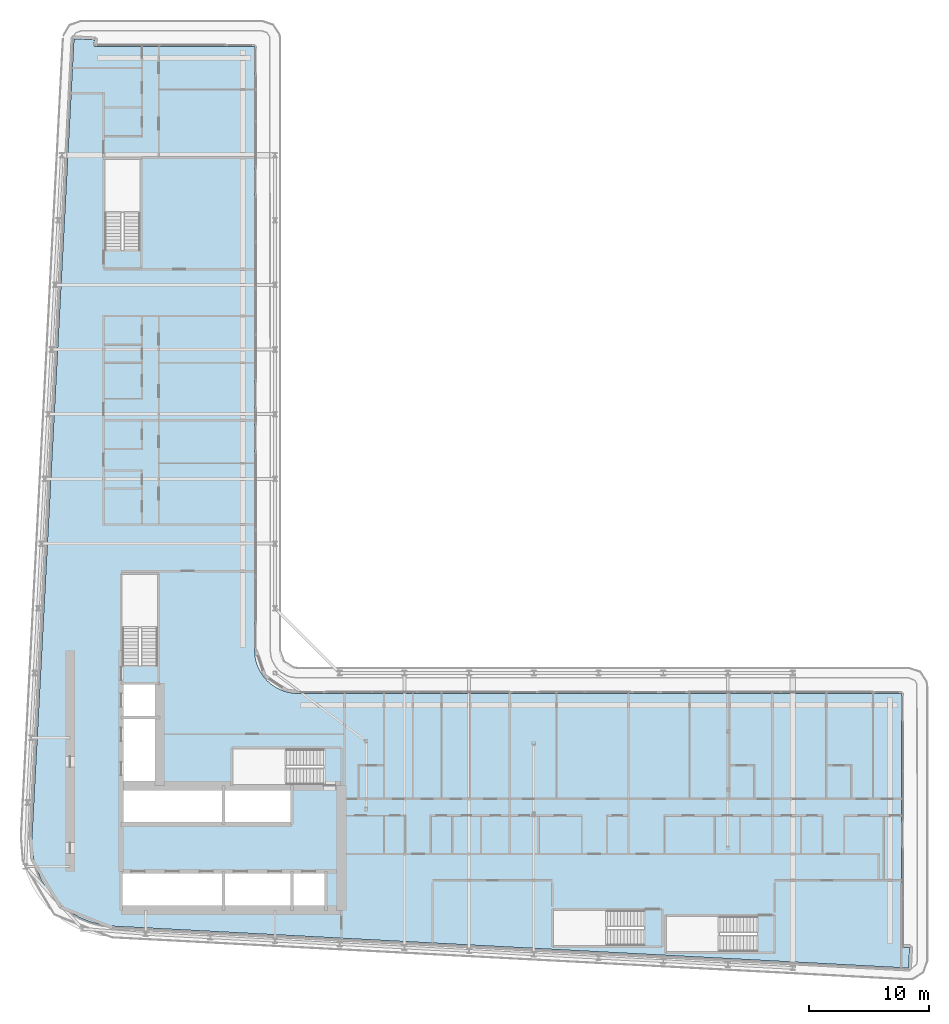
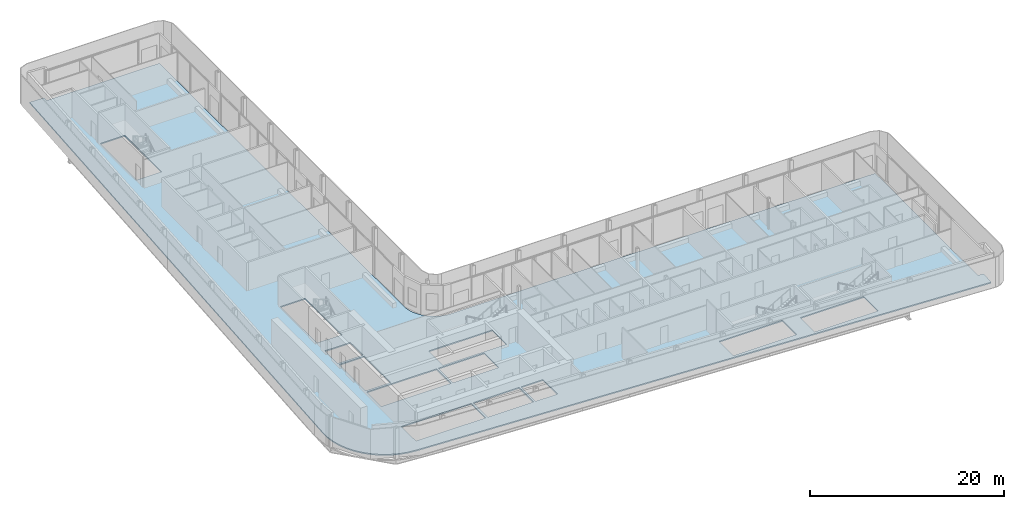
# One storey, part 13 of 30: 1 slab.
"""IFC4 building model written with IfcOpenShell, lengths in metres."""

from ifc_helpers import new_model, si_unit, direction, frame, origin, place, context, subcontext, project, spatial, polyline, outline, extrude, material, layer, layer_set, type_object, element, save


model = new_model("IFC4")

# Units and contexts
model_context = context("Model", 3, precision=1e-05, world=origin(), true_north=direction((0.0, 1.0)))
body_context = subcontext(model_context, "Body", "Model", "MODEL_VIEW")
ifc_project = project(units=[si_unit("LENGTHUNIT", "METRE"), si_unit("AREAUNIT", "SQUARE_METRE"), si_unit("VOLUMEUNIT", "CUBIC_METRE"), si_unit("PLANEANGLEUNIT", "RADIAN"), si_unit("MASSUNIT", "GRAM", prefix="KILO")], contexts=[model_context])

# Site, building, storey
site_placement = place(None, origin())
site = spatial("IfcSite", under=ifc_project, at=site_placement, CompositionType="ELEMENT")
building_placement = place(site_placement, origin())
building = spatial("IfcBuilding", under=site, at=building_placement, Name="Kheshtan School and Residences Tower", CompositionType="ELEMENT")
storey_placement = place(building_placement, frame((0.0, 0.0, 195.5)))
storey = spatial("IfcBuildingStorey", under=building, at=storey_placement, Name="L46", CompositionType="ELEMENT", Elevation=195.5)

# Slab
ifc_material = material(Name="Concrete C40/50", Category="concrete")
ifc_layer = layer(ifc_material, 0.14990234375)
ifc_layer_set = layer_set([ifc_layer], Name="Floor slab 150 Concrete C40/50")
slab_type = type_object("IfcSlabType", Name="Floor slab 150 Concrete C40/50", PredefinedType="FLOOR", material=ifc_layer_set)
slab_placement = place(storey_placement, frame((0.0, 0.0, -0.14990234375)))
element("IfcSlab", 1, at=slab_placement, inside=storey, type_object=slab_type, Name="Floor slab L46", PredefinedType="FLOOR", context=body_context, shape_type="SweptSolid", body=[
    extrude(outline(polyline([(27.718017578125, 29.200927734375), (27.466064453125, 30.093017578125), (27.466064453125, 30.093994140625), (27.3330078125, 31.013916015625), (27.320068359375, 31.965087890625), (27.320068359375, 31.970947265625), (30.822021484375, 98.5009765625), (30.822998046875, 98.508056640625), (30.825927734375, 98.531005859375), (30.825927734375, 98.531982421875), (30.826904296875, 98.531982421875), (31.422119140625, 98.5), (31.423095703125, 98.5), (31.423095703125, 98.4990234375), (31.423095703125, 98.4951171875), (31.423095703125, 98.493896484375), (31.424072265625, 98.493896484375), (31.424072265625, 98.492919921875), (31.425048828125, 98.492919921875), (31.426025390625, 98.492919921875), (31.426025390625, 98.493896484375), (31.427978515625, 98.49609375), (31.428955078125, 98.4970703125), (31.429931640625, 98.498046875), (31.430908203125, 98.498046875), (31.430908203125, 98.4990234375), (31.431884765625, 98.4990234375), (31.431884765625, 98.5), (31.43505859375, 98.5009765625), (31.43603515625, 98.501953125), (31.43896484375, 98.501953125), (31.43994140625, 98.501953125), (31.43994140625, 98.5029296875), (31.44091796875, 98.5029296875), (31.446044921875, 98.5029296875), (32.5009765625, 98.447021484375), (32.50390625, 98.447021484375), (32.5048828125, 98.447021484375), (32.5048828125, 98.446044921875), (32.506103515625, 98.446044921875), (32.510009765625, 98.446044921875), (32.510009765625, 98.445068359375), (32.510986328125, 98.445068359375), (32.510986328125, 98.444091796875), (32.511962890625, 98.444091796875), (32.511962890625, 98.443115234375), (32.512939453125, 98.443115234375), (32.513916015625, 98.443115234375), (32.513916015625, 98.44189453125), (32.514892578125, 98.44189453125), (32.51611328125, 98.44189453125), (32.51904296875, 98.43896484375), (32.51904296875, 98.43798828125), (32.51904296875, 98.43701171875), (32.52001953125, 98.43701171875), (32.52001953125, 98.43603515625), (32.52099609375, 98.43603515625), (32.52099609375, 98.43408203125), (32.52099609375, 98.43310546875), (32.52197265625, 98.43310546875), (32.52197265625, 98.431884765625), (32.52294921875, 98.431884765625), (32.52294921875, 98.430908203125), (32.52294921875, 98.428955078125), (32.52294921875, 98.427978515625), (32.52392578125, 98.427978515625), (32.52392578125, 98.427001953125), (32.52392578125, 98.422119140625), (32.4970703125, 97.9208984375), (32.4970703125, 97.91796875), (32.4970703125, 97.9169921875), (32.49609375, 97.9169921875), (32.49609375, 97.916015625), (32.49609375, 97.912109375), (32.4951171875, 97.910888671875), (32.4951171875, 97.909912109375), (32.493896484375, 97.909912109375), (32.493896484375, 97.908935546875), (32.492919921875, 97.908935546875), (32.492919921875, 97.907958984375), (32.489013671875, 97.904052734375), (32.488037109375, 97.904052734375), (32.488037109375, 97.903076171875), (32.488037109375, 97.902099609375), (32.488037109375, 97.90087890625), (32.489013671875, 97.90087890625), (32.489013671875, 97.89990234375), (32.489990234375, 97.89990234375), (45.85498046875, 97.89990234375), (45.864990234375, 97.89794921875), (45.865966796875, 97.89794921875), (45.868896484375, 97.89599609375), (45.8740234375, 97.89404296875), (45.8779296875, 97.89208984375), (45.881103515625, 97.889892578125), (45.881103515625, 97.888916015625), (45.882080078125, 97.888916015625), (45.882080078125, 97.887939453125), (45.883056640625, 97.887939453125), (45.884033203125, 97.885009765625), (45.885009765625, 97.885009765625), (45.885009765625, 97.884033203125), (45.887939453125, 97.883056640625), (45.887939453125, 97.882080078125), (45.888916015625, 97.882080078125), (45.888916015625, 97.881103515625), (45.889892578125, 97.881103515625), (45.89208984375, 97.8779296875), (45.89404296875, 97.8740234375), (45.89599609375, 97.868896484375), (45.89794921875, 97.865966796875), (45.89794921875, 97.864990234375), (45.89990234375, 97.85498046875), (45.89990234375, 47.429931640625), (45.927001953125, 47.030029296875), (46.01806640625, 46.570068359375), (46.01806640625, 46.569091796875), (46.169921875, 46.1201171875), (46.37890625, 45.697021484375), (46.638916015625, 45.30810546875), (46.949951171875, 44.950927734375), (46.950927734375, 44.949951171875), (47.30810546875, 44.638916015625), (47.697021484375, 44.37890625), (48.1201171875, 44.169921875), (48.569091796875, 44.01806640625), (48.570068359375, 44.01806640625), (49.030029296875, 43.927001953125), (49.429931640625, 43.89990234375), (99.85498046875, 43.89990234375), (99.864990234375, 43.89794921875), (99.865966796875, 43.89794921875), (99.868896484375, 43.89599609375), (99.8740234375, 43.89404296875), (99.8779296875, 43.89208984375), (99.881103515625, 43.889892578125), (99.881103515625, 43.888916015625), (99.882080078125, 43.888916015625), (99.882080078125, 43.887939453125), (99.883056640625, 43.887939453125), (99.884033203125, 43.885009765625), (99.885009765625, 43.885009765625), (99.885009765625, 43.884033203125), (99.887939453125, 43.883056640625), (99.887939453125, 43.882080078125), (99.888916015625, 43.882080078125), (99.888916015625, 43.881103515625), (99.889892578125, 43.881103515625), (99.89208984375, 43.8779296875), (99.89404296875, 43.8740234375), (99.89599609375, 43.868896484375), (99.89794921875, 43.865966796875), (99.89794921875, 43.864990234375), (99.89990234375, 43.85498046875), (99.89990234375, 22.708984375), (99.89990234375, 22.7080078125), (99.90087890625, 22.7080078125), (99.90087890625, 22.70703125), (99.902099609375, 22.70703125), (99.903076171875, 22.70703125), (99.903076171875, 22.7080078125), (99.905029296875, 22.7099609375), (99.906982421875, 22.7119140625), (99.907958984375, 22.7119140625), (99.907958984375, 22.712890625), (99.908935546875, 22.712890625), (99.908935546875, 22.714111328125), (99.909912109375, 22.714111328125), (99.912109375, 22.715087890625), (99.9130859375, 22.716064453125), (99.916015625, 22.716064453125), (99.9169921875, 22.716064453125), (99.9169921875, 22.717041015625), (99.91796875, 22.717041015625), (99.923095703125, 22.717041015625), (100.5380859375, 22.68408203125), (100.541015625, 22.68408203125), (100.5419921875, 22.68408203125), (100.5419921875, 22.68310546875), (100.54296875, 22.68310546875), (100.547119140625, 22.68310546875), (100.547119140625, 22.681884765625), (100.548095703125, 22.681884765625), (100.548095703125, 22.680908203125), (100.549072265625, 22.680908203125), (100.549072265625, 22.679931640625), (100.550048828125, 22.679931640625), (100.551025390625, 22.679931640625), (100.551025390625, 22.678955078125), (100.552001953125, 22.678955078125), (100.552978515625, 22.678955078125), (100.552978515625, 22.677978515625), (100.554931640625, 22.676025390625), (100.555908203125, 22.676025390625), (100.555908203125, 22.675048828125), (100.555908203125, 22.674072265625), (100.556884765625, 22.674072265625), (100.556884765625, 22.673095703125), (100.55810546875, 22.673095703125), (100.55810546875, 22.6708984375), (100.55810546875, 22.669921875), (100.55908203125, 22.669921875), (100.55908203125, 22.6689453125), (100.56005859375, 22.6689453125), (100.56005859375, 22.66796875), (100.56005859375, 22.666015625), (100.56005859375, 22.6650390625), (100.56103515625, 22.6650390625), (100.56103515625, 22.6640625), (100.56103515625, 22.658935546875), (100.5048828125, 21.60205078125), (100.5048828125, 21.59912109375), (100.5048828125, 21.597900390625), (100.50390625, 21.597900390625), (100.50390625, 21.596923828125), (100.50390625, 21.593017578125), (100.5029296875, 21.592041015625), (100.5029296875, 21.591064453125), (100.501953125, 21.591064453125), (100.501953125, 21.590087890625), (100.5009765625, 21.590087890625), (100.5009765625, 21.589111328125), (100.5, 21.587890625), (100.498046875, 21.5859375), (100.4970703125, 21.5849609375), (100.49609375, 21.5849609375), (100.49609375, 21.583984375), (100.49609375, 21.5830078125), (100.49609375, 21.58203125), (100.4970703125, 21.58203125), (100.4970703125, 21.5810546875), (100.498046875, 21.5810546875), (100.4990234375, 21.5810546875), (100.5, 21.5810546875), (100.5, 21.580078125), (100.468017578125, 20.985107421875), (100.468017578125, 20.98388671875), (100.467041015625, 20.98388671875), (100.443115234375, 20.98291015625), (100.43798828125, 20.98291015625), (34.056884765625, 24.47802734375), (33.114990234375, 24.590087890625), (32.215087890625, 24.819091796875), (32.214111328125, 24.819091796875), (31.35205078125, 25.1630859375), (30.541015625, 25.616943359375), (29.799072265625, 26.1708984375), (29.799072265625, 26.172119140625), (29.798095703125, 26.172119140625), (29.134033203125, 26.820068359375), (29.134033203125, 26.821044921875), (29.133056640625, 26.821044921875), (28.55908203125, 27.550048828125), (28.0849609375, 28.345947265625), (27.718017578125, 29.200927734375)]), holes=[polyline([(99.89990234375, 21.5869140625), (99.89990234375, 21.5830078125), (99.89990234375, 21.58203125), (99.90087890625, 21.58203125), (99.90087890625, 21.5810546875), (99.902099609375, 21.5810546875), (99.906005859375, 21.5810546875), (99.906982421875, 21.5810546875), (99.906982421875, 21.58203125), (99.907958984375, 21.58203125), (99.907958984375, 21.5830078125), (99.907958984375, 21.583984375), (99.906982421875, 21.583984375), (99.905029296875, 21.5859375), (99.904052734375, 21.5869140625), (99.903076171875, 21.587890625), (99.903076171875, 21.589111328125), (99.902099609375, 21.589111328125), (99.90087890625, 21.589111328125), (99.90087890625, 21.587890625), (99.89990234375, 21.587890625), (99.89990234375, 21.5869140625)]), polyline([(31.423095703125, 97.906005859375), (31.423095703125, 97.902099609375), (31.423095703125, 97.90087890625), (31.424072265625, 97.90087890625), (31.424072265625, 97.89990234375), (31.425048828125, 97.89990234375), (31.428955078125, 97.89990234375), (31.429931640625, 97.89990234375), (31.429931640625, 97.90087890625), (31.430908203125, 97.90087890625), (31.430908203125, 97.902099609375), (31.430908203125, 97.903076171875), (31.429931640625, 97.903076171875), (31.428955078125, 97.904052734375), (31.427978515625, 97.905029296875), (31.427001953125, 97.906005859375), (31.426025390625, 97.906982421875), (31.426025390625, 97.907958984375), (31.425048828125, 97.907958984375), (31.424072265625, 97.907958984375), (31.424072265625, 97.906982421875), (31.423095703125, 97.906982421875), (31.423095703125, 97.906005859375)]), polyline([(34.875, 28.925048828125), (34.875, 25.925048828125), (43.175048828125, 25.925048828125), (43.175048828125, 28.925048828125), (34.875, 28.925048828125)]), polyline([(43.175048828125, 36.074951171875), (34.875, 36.074951171875), (34.875, 33.074951171875), (43.175048828125, 33.074951171875), (43.175048828125, 36.074951171875)]), polyline([(34.875, 41.77490234375), (34.875, 36.324951171875), (37.875, 36.324951171875), (37.875, 41.77490234375), (34.875, 41.77490234375)]), polyline([(34.875, 42.02490234375), (37.875, 42.02490234375), (37.875, 44.625), (34.875, 44.625), (34.875, 42.02490234375)]), polyline([(37.800048828125, 46.25), (37.800048828125, 53.81005859375), (34.85009765625, 53.81005859375), (34.85009765625, 46.260009765625), (36.25, 46.260009765625), (36.25, 46.25), (37.800048828125, 46.25)]), polyline([(33.39990234375, 88.4599609375), (33.39990234375, 80.909912109375), (34.800048828125, 80.909912109375), (34.800048828125, 80.89990234375), (36.35009765625, 80.89990234375), (36.35009765625, 88.4599609375), (33.39990234375, 88.4599609375)]), polyline([(87.81005859375, 22.35009765625), (87.81005859375, 23.75), (87.820068359375, 23.75), (87.820068359375, 25.300048828125), (80.260009765625, 25.300048828125), (80.260009765625, 22.35009765625), (87.81005859375, 22.35009765625)]), polyline([(70.85009765625, 22.85009765625), (78.39990234375, 22.85009765625), (78.39990234375, 24.25), (78.409912109375, 24.25), (78.409912109375, 25.800048828125), (70.85009765625, 25.800048828125), (70.85009765625, 22.85009765625)]), polyline([(43.425048828125, 25.925048828125), (48.875, 25.925048828125), (48.875, 28.925048828125), (43.425048828125, 28.925048828125), (43.425048828125, 25.925048828125)]), polyline([(49.125, 25.925048828125), (51.72509765625, 25.925048828125), (51.72509765625, 28.925048828125), (49.125, 28.925048828125), (49.125, 25.925048828125)]), polyline([(43.425048828125, 33.074951171875), (48.875, 33.074951171875), (48.875, 36.074951171875), (43.425048828125, 36.074951171875), (43.425048828125, 33.074951171875)]), polyline([(51.64990234375, 39.25), (44.090087890625, 39.25), (44.090087890625, 36.300048828125), (51.639892578125, 36.300048828125), (51.639892578125, 37.699951171875), (51.64990234375, 37.699951171875), (51.64990234375, 39.25)])]), origin(), (0.0, 0.0, 1.0), 0.14990234375),
])

save(model, "model.ifc")
